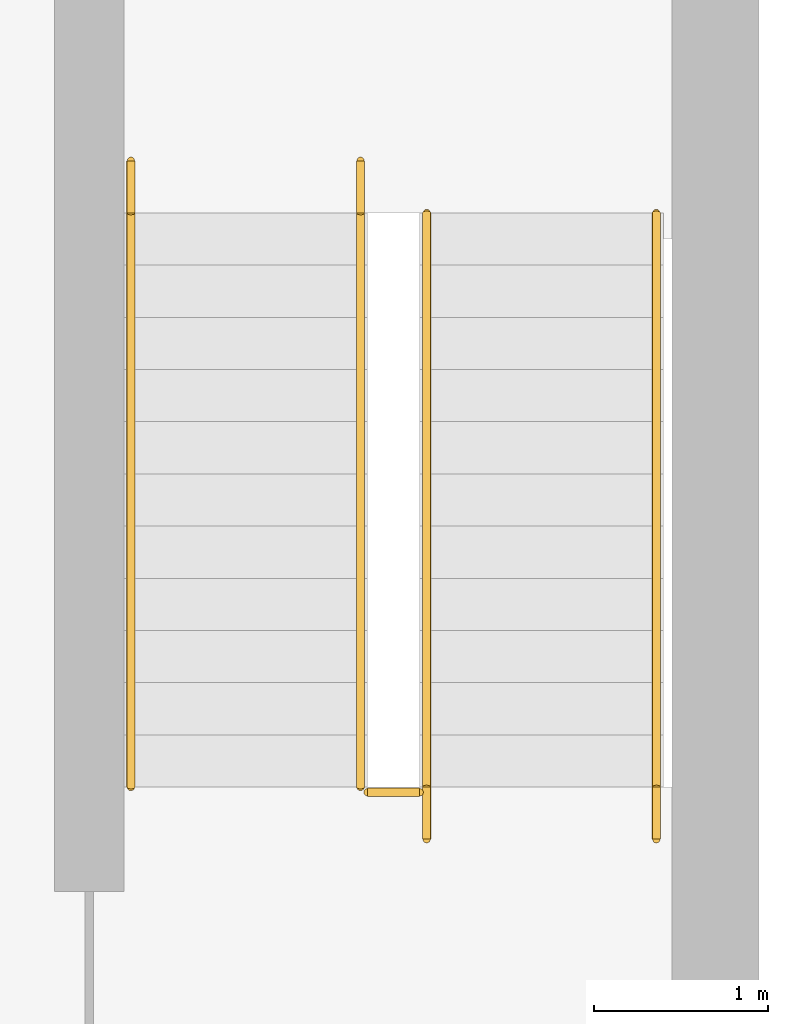
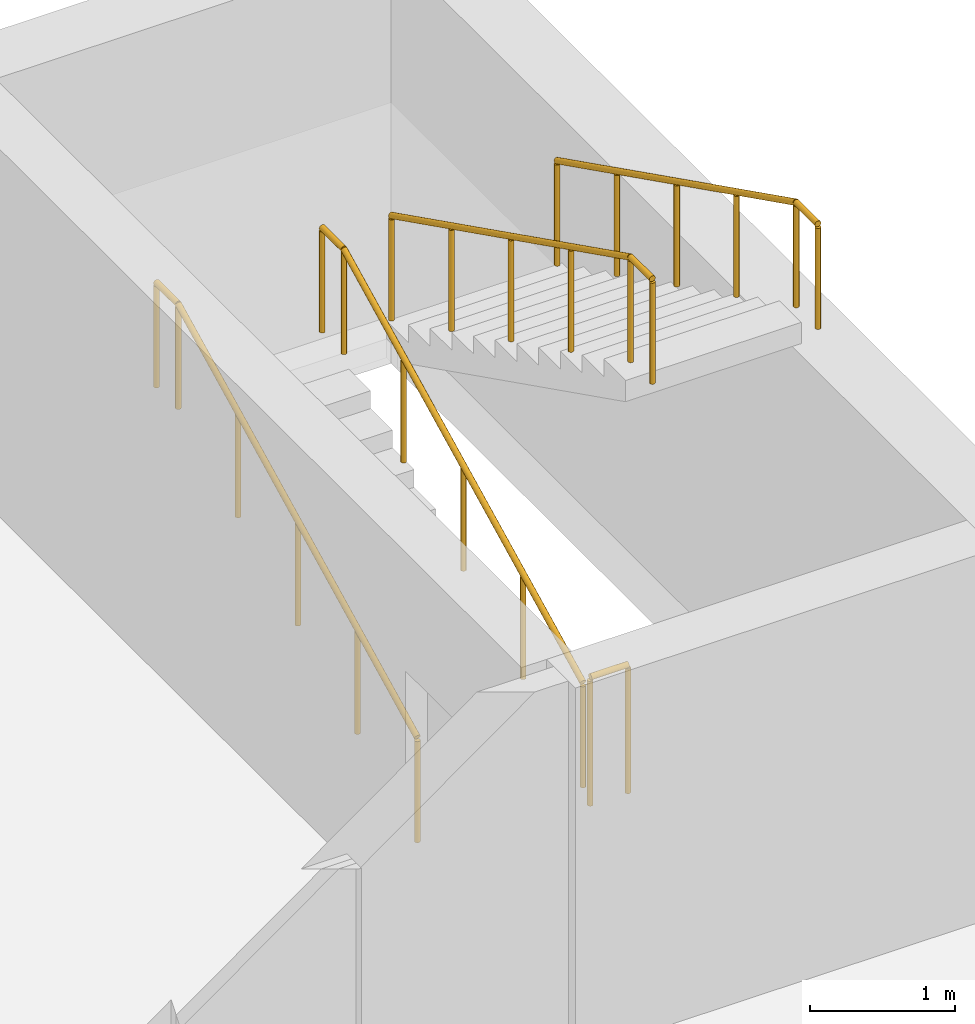
# One storey, part 12 of 12: 5 railings.
"""IFC4 building model written with IfcOpenShell, lengths in metres."""

from ifc_helpers import new_model, si_unit, direction, frame, origin, origin_2d, place, context, subcontext, project, spatial, circle, extrude, material, type_object, element, save


model = new_model("IFC4")

# Units and contexts
model_context = context("Model", 3, precision=1e-05, world=origin(), true_north=direction((0.0, 1.0)))
body_context = subcontext(model_context, "Body", "Model", "MODEL_VIEW")
ifc_project = project(units=[si_unit("LENGTHUNIT", "METRE"), si_unit("AREAUNIT", "SQUARE_METRE"), si_unit("VOLUMEUNIT", "CUBIC_METRE"), si_unit("PLANEANGLEUNIT", "RADIAN"), si_unit("MASSUNIT", "GRAM", prefix="KILO")], contexts=[model_context])

# Site, building, storey
site_placement = place(None, origin())
site = spatial("IfcSite", under=ifc_project, at=site_placement, CompositionType="ELEMENT")
building_placement = place(site_placement, origin())
building = spatial("IfcBuilding", under=site, at=building_placement, Name="Yavir Park General Hospital", CompositionType="ELEMENT")
storey_placement = place(building_placement, frame((0.0, 0.0, -7.800048828125)))
storey = spatial("IfcBuildingStorey", under=building, at=storey_placement, Name="B2", CompositionType="ELEMENT", Elevation=-7.800048828125)

# Railings
ifc_material_1 = material(Name="Steel balustrade with infill rods", Category="steel")
railing_type_1 = type_object("IfcRailingType", Name="Stair guard, steel balustrade 1100 mm", PredefinedType="GUARDRAIL", material=ifc_material_1)
railing_placement = place(storey_placement, frame((166.0, 27.570068359375, 0.0)))
element("IfcRailing", 1, at=railing_placement, inside=storey, type_object=railing_type_1, Name="Stair well guard BS5 B2", PredefinedType="GUARDRAIL", context=body_context, shape_type="SweptSolid", body=[
    extrude(circle(Radius=0.02392578125, at=origin_2d()), frame((0.0, 0.0, 1.076171875), z_axis=(1.0, 0.0, 0.0), x_axis=(0.0, 1.0, 0.0)), (0.0, 0.0, 1.0), 0.300048828125),
    extrude(circle(Radius=0.02099609375, at=origin_2d()), origin(), (0.0, 0.0, 1.0), 1.052001953125),
    extrude(circle(Radius=0.02099609375, at=origin_2d()), frame((0.300048828125, 0.0, 0.0)), (0.0, 0.0, 1.0), 1.052001953125),
])
ifc_material_2 = material(Name="Stainless steel tube 48 mm", Category="steel")
railing_type_2 = type_object("IfcRailingType", Name="Stair handrail, steel tube, 900 mm above the nosings", PredefinedType="HANDRAIL", material=ifc_material_2)
for number, where, name in (
    (2, (164.639892578125, 27.60009765625, 0.150146484375), "Handrail BS5 B2 1"),
    (3, (165.9599609375, 27.60009765625, 0.150146484375), "Handrail BS5 B2 2"),
):
    element("IfcRailing", number, at=place(storey_placement, frame(where)), inside=storey, type_object=railing_type_2, Name=name, PredefinedType="HANDRAIL", context=body_context, shape_type="SweptSolid", body=[
        extrude(circle(Radius=0.02392578125, at=origin_2d()), frame((0.0, 0.0, 0.8759765625), z_axis=(0.0, 0.894427191, 0.4472135955), x_axis=(-1.0, 0.0, 0.0)), (0.0, 0.0, 1.0), 3.689208984375),
        extrude(circle(Radius=0.02392578125, at=origin_2d()), frame((0.0, 3.2998046875, 2.52587890625), z_axis=(0.0, 1.0, 0.0), x_axis=(-1.0, 0.0, 0.0)), (0.0, 0.0, 1.0), 0.300048828125),
        extrude(circle(Radius=0.02099609375, at=origin_2d()), origin(), (0.0, 0.0, 1.0), 0.851806640625),
        extrude(circle(Radius=0.02099609375, at=origin_2d()), frame((0.0, 0.824951171875, 0.41259765625)), (0.0, 0.0, 1.0), 0.851806640625),
        extrude(circle(Radius=0.02099609375, at=origin_2d()), frame((0.0, 1.64990234375, 0.824951171875)), (0.0, 0.0, 1.0), 0.851806640625),
        extrude(circle(Radius=0.02099609375, at=origin_2d()), frame((0.0, 2.474853515625, 1.2373046875)), (0.0, 0.0, 1.0), 0.851806640625),
        extrude(circle(Radius=0.02099609375, at=origin_2d()), frame((0.0, 3.2998046875, 1.64990234375)), (0.0, 0.0, 1.0), 0.851806640625),
        extrude(circle(Radius=0.02099609375, at=origin_2d()), frame((0.0, 3.599853515625, 1.64990234375)), (0.0, 0.0, 1.0), 0.851806640625),
    ])
for number, where, name in (
    (4, (167.659912109375, 30.89990234375, 1.949951171875), "Handrail BS5 B2 3"),
    (5, (166.340087890625, 30.89990234375, 1.949951171875), "Handrail BS5 B2 4"),
):
    element("IfcRailing", number, at=place(storey_placement, frame(where)), inside=storey, type_object=railing_type_2, Name=name, PredefinedType="HANDRAIL", context=body_context, shape_type="SweptSolid", body=[
        extrude(circle(Radius=0.02392578125, at=origin_2d()), frame((0.0, 0.0, 0.8759765625), z_axis=(0.0, -0.894400720042, 0.447266533499), x_axis=(1.0, 0.0, 0.0)), (0.0, 0.0, 1.0), 3.689453125),
        extrude(circle(Radius=0.02392578125, at=origin_2d()), frame((0.0, -3.2998046875, 2.52587890625), z_axis=(0.0, -1.0, 0.0), x_axis=(1.0, 0.0, 0.0)), (0.0, 0.0, 1.0), 0.300048828125),
        extrude(circle(Radius=0.02099609375, at=origin_2d()), origin(), (0.0, 0.0, 1.0), 0.851806640625),
        extrude(circle(Radius=0.02099609375, at=origin_2d()), frame((0.0, -0.824951171875, 0.41259765625)), (0.0, 0.0, 1.0), 0.851806640625),
        extrude(circle(Radius=0.02099609375, at=origin_2d()), frame((0.0, -1.64990234375, 0.8251953125)), (0.0, 0.0, 1.0), 0.851806640625),
        extrude(circle(Radius=0.02099609375, at=origin_2d()), frame((0.0, -2.474853515625, 1.237548828125)), (0.0, 0.0, 1.0), 0.851806640625),
        extrude(circle(Radius=0.02099609375, at=origin_2d()), frame((0.0, -3.2998046875, 1.650146484375)), (0.0, 0.0, 1.0), 0.851806640625),
        extrude(circle(Radius=0.02099609375, at=origin_2d()), frame((0.0, -3.599853515625, 1.650146484375)), (0.0, 0.0, 1.0), 0.851806640625),
    ])

save(model, "model.ifc")
